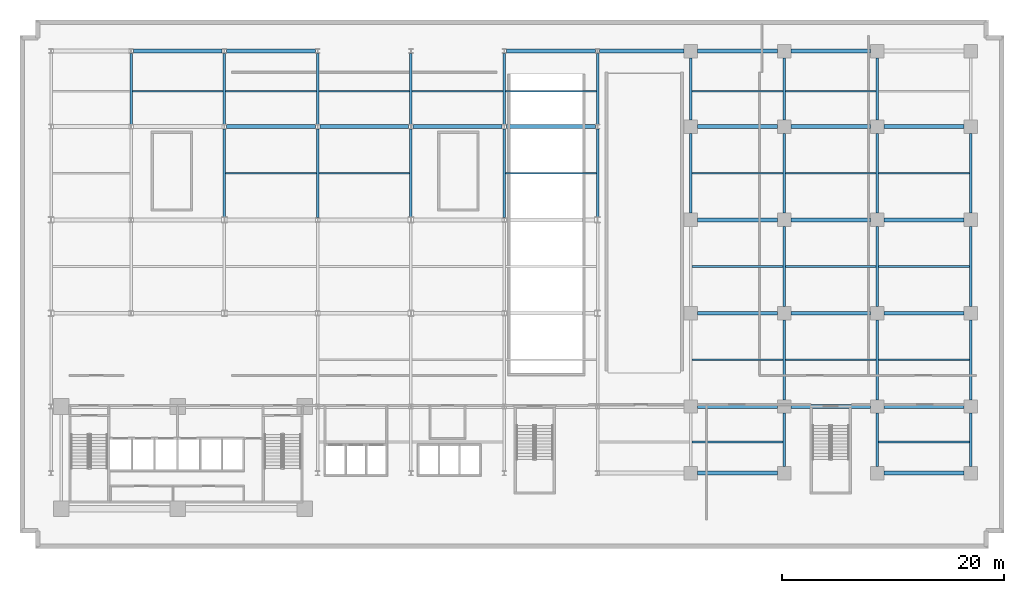
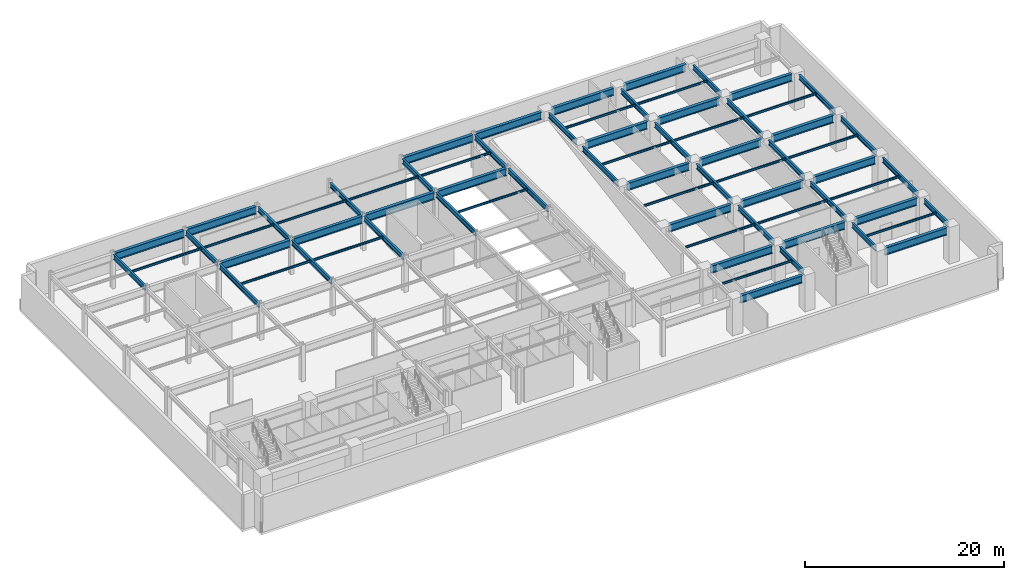
# One storey, part 4 of 14: 72 beams.
"""IFC4 building model written with IfcOpenShell, lengths in metres."""

from ifc_helpers import new_model, si_unit, direction, frame, origin, origin_2d, place, context, subcontext, project, spatial, i_section, extrude, material, material_profile, profile_set, type_object, element, save


model = new_model("IFC4")

# Units and contexts
model_context = context("Model", 3, precision=1e-05, world=origin(), true_north=direction((0.0, 1.0)))
body_context = subcontext(model_context, "Body", "Model", "MODEL_VIEW")
ifc_project = project(units=[si_unit("LENGTHUNIT", "METRE"), si_unit("AREAUNIT", "SQUARE_METRE"), si_unit("VOLUMEUNIT", "CUBIC_METRE"), si_unit("PLANEANGLEUNIT", "RADIAN"), si_unit("MASSUNIT", "GRAM", prefix="KILO")], contexts=[model_context])

# Site, building, storey
site_placement = place(None, origin())
site = spatial("IfcSite", under=ifc_project, at=site_placement, CompositionType="ELEMENT")
building_placement = place(site_placement, origin())
building = spatial("IfcBuilding", under=site, at=building_placement, Name="Varnakote Quay Hospital", CompositionType="ELEMENT")
storey_placement = place(building_placement, frame((0.0, 0.0, -4.5)))
storey = spatial("IfcBuildingStorey", under=building, at=storey_placement, Name="B01", CompositionType="ELEMENT", Elevation=-4.5)

# Beams
ifc_material_1 = material(Name="Structural steel AS/NZS 3679.1 Grade 350 L0 (fy 340 MPa)", Category="steel")
ifc_material_profile_1 = material_profile(ifc_material_1, i_section(OverallWidth=0.22802734375, OverallDepth=0.60205078125, WebThickness=0.010498046875, FlangeThickness=0.014892578125, FilletRadius=0.013916015625, at=origin_2d()), Name="610UB101")
ifc_profile_set_1 = profile_set([ifc_material_profile_1], Name="Structural steel AS/NZS 3679.1 Grade 350 L0 (fy 340 MPa)")
beam_type_1 = type_object("IfcBeamType", Name="BM-STL-610UB101", PredefinedType="BEAM", material=ifc_profile_set_1)
beam_1_placement = place(storey_placement, frame((8.39990234375, 37.409912109375, 3.948974609375), z_axis=(0.0, 1.0, 0.0), x_axis=(-1.0, 0.0, 0.0)))
element("IfcBeam", 1, at=beam_1_placement, inside=storey, type_object=beam_type_1, Name="B01 Primary Tie Beam", PredefinedType="BEAM", context=body_context, shape_type="SweptSolid", body=[
    extrude(i_section(OverallWidth=0.22802734375, OverallDepth=0.60205078125, WebThickness=0.010498046875, FlangeThickness=0.014892578125, FilletRadius=0.013916015625, at=origin_2d()), origin(), (0.0, 0.0, 1.0), 6.380126953125),
])
beam_2_placement = place(storey_placement, frame((16.800048828125, 29.06494140625, 3.948974609375), z_axis=(0.0, 1.0, 0.0), x_axis=(-1.0, 0.0, 0.0)))
element("IfcBeam", 2, at=beam_2_placement, inside=storey, type_object=beam_type_1, Name="B01 Primary Tie Beam", PredefinedType="BEAM", context=body_context, shape_type="SweptSolid", body=[
    extrude(i_section(OverallWidth=0.22802734375, OverallDepth=0.60205078125, WebThickness=0.010498046875, FlangeThickness=0.014892578125, FilletRadius=0.013916015625, at=origin_2d()), origin(), (0.0, 0.0, 1.0), 7.925048828125),
])
beam_3_placement = place(storey_placement, frame((16.800048828125, 37.409912109375, 3.948974609375), z_axis=(0.0, 1.0, 0.0), x_axis=(-1.0, 0.0, 0.0)))
element("IfcBeam", 3, at=beam_3_placement, inside=storey, type_object=beam_type_1, Name="B01 Primary Tie Beam", PredefinedType="BEAM", context=body_context, shape_type="SweptSolid", body=[
    extrude(i_section(OverallWidth=0.22802734375, OverallDepth=0.60205078125, WebThickness=0.010498046875, FlangeThickness=0.014892578125, FilletRadius=0.013916015625, at=origin_2d()), origin(), (0.0, 0.0, 1.0), 6.380126953125),
])
beam_4_placement = place(storey_placement, frame((25.199951171875, 29.010009765625, 3.948974609375), z_axis=(0.0, 1.0, 0.0), x_axis=(-1.0, 0.0, 0.0)))
element("IfcBeam", 4, at=beam_4_placement, inside=storey, type_object=beam_type_1, Name="B01 Primary Tie Beam", PredefinedType="BEAM", context=body_context, shape_type="SweptSolid", body=[
    extrude(i_section(OverallWidth=0.22802734375, OverallDepth=0.60205078125, WebThickness=0.010498046875, FlangeThickness=0.014892578125, FilletRadius=0.013916015625, at=origin_2d()), origin(), (0.0, 0.0, 1.0), 7.97998046875),
])
beam_5_placement = place(storey_placement, frame((25.199951171875, 37.409912109375, 3.948974609375), z_axis=(0.0, 1.0, 0.0), x_axis=(-1.0, 0.0, 0.0)))
element("IfcBeam", 5, at=beam_5_placement, inside=storey, type_object=beam_type_1, Name="B01 Primary Tie Beam", PredefinedType="BEAM", context=body_context, shape_type="SweptSolid", body=[
    extrude(i_section(OverallWidth=0.22802734375, OverallDepth=0.60205078125, WebThickness=0.010498046875, FlangeThickness=0.014892578125, FilletRadius=0.013916015625, at=origin_2d()), origin(), (0.0, 0.0, 1.0), 6.380126953125),
])
beam_6_placement = place(storey_placement, frame((33.60009765625, 29.06494140625, 3.948974609375), z_axis=(0.0, 1.0, 0.0), x_axis=(-1.0, 0.0, 0.0)))
element("IfcBeam", 6, at=beam_6_placement, inside=storey, type_object=beam_type_1, Name="B01 Primary Tie Beam", PredefinedType="BEAM", context=body_context, shape_type="SweptSolid", body=[
    extrude(i_section(OverallWidth=0.22802734375, OverallDepth=0.60205078125, WebThickness=0.010498046875, FlangeThickness=0.014892578125, FilletRadius=0.013916015625, at=origin_2d()), origin(), (0.0, 0.0, 1.0), 7.925048828125),
])
beam_7_placement = place(storey_placement, frame((33.60009765625, 37.409912109375, 3.948974609375), z_axis=(0.0, 1.0, 0.0), x_axis=(-1.0, 0.0, 0.0)))
element("IfcBeam", 7, at=beam_7_placement, inside=storey, type_object=beam_type_1, Name="B01 Primary Tie Beam", PredefinedType="BEAM", context=body_context, shape_type="SweptSolid", body=[
    extrude(i_section(OverallWidth=0.22802734375, OverallDepth=0.60205078125, WebThickness=0.010498046875, FlangeThickness=0.014892578125, FilletRadius=0.013916015625, at=origin_2d()), origin(), (0.0, 0.0, 1.0), 6.380126953125),
])
beam_8_placement = place(storey_placement, frame((42.0, 29.010009765625, 3.948974609375), z_axis=(0.0, 1.0, 0.0), x_axis=(-1.0, 0.0, 0.0)))
element("IfcBeam", 8, at=beam_8_placement, inside=storey, type_object=beam_type_1, Name="B01 Primary Tie Beam", PredefinedType="BEAM", context=body_context, shape_type="SweptSolid", body=[
    extrude(i_section(OverallWidth=0.22802734375, OverallDepth=0.60205078125, WebThickness=0.010498046875, FlangeThickness=0.014892578125, FilletRadius=0.013916015625, at=origin_2d()), origin(), (0.0, 0.0, 1.0), 7.97998046875),
])
beam_9_placement = place(storey_placement, frame((42.0, 37.409912109375, 3.948974609375), z_axis=(0.0, 1.0, 0.0), x_axis=(-1.0, 0.0, 0.0)))
element("IfcBeam", 9, at=beam_9_placement, inside=storey, type_object=beam_type_1, Name="B01 Primary Tie Beam", PredefinedType="BEAM", context=body_context, shape_type="SweptSolid", body=[
    extrude(i_section(OverallWidth=0.22802734375, OverallDepth=0.60205078125, WebThickness=0.010498046875, FlangeThickness=0.014892578125, FilletRadius=0.013916015625, at=origin_2d()), origin(), (0.0, 0.0, 1.0), 6.380126953125),
])
beam_10_placement = place(storey_placement, frame((50.39990234375, 29.06494140625, 3.948974609375), z_axis=(0.0, 1.0, 0.0), x_axis=(-1.0, 0.0, 0.0)))
element("IfcBeam", 10, at=beam_10_placement, inside=storey, type_object=beam_type_1, Name="B01 Primary Tie Beam", PredefinedType="BEAM", context=body_context, shape_type="SweptSolid", body=[
    extrude(i_section(OverallWidth=0.22802734375, OverallDepth=0.60205078125, WebThickness=0.010498046875, FlangeThickness=0.014892578125, FilletRadius=0.013916015625, at=origin_2d()), origin(), (0.0, 0.0, 1.0), 7.925048828125),
])
beam_11_placement = place(storey_placement, frame((50.39990234375, 37.409912109375, 3.948974609375), z_axis=(0.0, 1.0, 0.0), x_axis=(-1.0, 0.0, 0.0)))
element("IfcBeam", 11, at=beam_11_placement, inside=storey, type_object=beam_type_1, Name="B01 Primary Tie Beam", PredefinedType="BEAM", context=body_context, shape_type="SweptSolid", body=[
    extrude(i_section(OverallWidth=0.22802734375, OverallDepth=0.60205078125, WebThickness=0.010498046875, FlangeThickness=0.014892578125, FilletRadius=0.013916015625, at=origin_2d()), origin(), (0.0, 0.0, 1.0), 6.380126953125),
])
beam_12_placement = place(storey_placement, frame((58.800048828125, 29.39990234375, 3.948974609375), z_axis=(0.0, 1.0, 0.0), x_axis=(-1.0, 0.0, 0.0)))
element("IfcBeam", 12, at=beam_12_placement, inside=storey, type_object=beam_type_1, Name="B01 Primary Tie Beam", PredefinedType="BEAM", context=body_context, shape_type="SweptSolid", body=[
    extrude(i_section(OverallWidth=0.22802734375, OverallDepth=0.60205078125, WebThickness=0.010498046875, FlangeThickness=0.014892578125, FilletRadius=0.013916015625, at=origin_2d()), origin(), (0.0, 0.0, 1.0), 7.2001953125),
])
beam_13_placement = place(storey_placement, frame((58.800048828125, 37.800048828125, 3.948974609375), z_axis=(0.0, 1.0, 0.0), x_axis=(-1.0, 0.0, 0.0)))
element("IfcBeam", 13, at=beam_13_placement, inside=storey, type_object=beam_type_1, Name="B01 Primary Tie Beam", PredefinedType="BEAM", context=body_context, shape_type="SweptSolid", body=[
    extrude(i_section(OverallWidth=0.22802734375, OverallDepth=0.60205078125, WebThickness=0.010498046875, FlangeThickness=0.014892578125, FilletRadius=0.013916015625, at=origin_2d()), origin(), (0.0, 0.0, 1.0), 5.599853515625),
])
beam_14_placement = place(storey_placement, frame((67.199951171875, 6.60009765625, 3.948974609375), z_axis=(0.0, 1.0, 0.0), x_axis=(-1.0, 0.0, 0.0)))
element("IfcBeam", 14, at=beam_14_placement, inside=storey, type_object=beam_type_1, Name="B01 Primary Tie Beam", PredefinedType="BEAM", context=body_context, shape_type="SweptSolid", body=[
    extrude(i_section(OverallWidth=0.22802734375, OverallDepth=0.60205078125, WebThickness=0.010498046875, FlangeThickness=0.014892578125, FilletRadius=0.013916015625, at=origin_2d()), origin(), (0.0, 0.0, 1.0), 4.7998046875),
])
for number, where, z_axis, x_axis, name in (
    (15, (67.199951171875, 12.60009765625, 3.948974609375), (0.0, 1.0, 0.0), (-1.0, 0.0, 0.0), "B01 Primary Tie Beam"),
    (16, (67.199951171875, 21.0, 3.948974609375), (0.0, 1.0, 0.0), (-1.0, 0.0, 0.0), "B01 Primary Tie Beam"),
):
    element("IfcBeam", number, at=place(storey_placement, frame(where, z_axis=z_axis, x_axis=x_axis)), inside=storey, type_object=beam_type_1, Name=name, PredefinedType="BEAM", context=body_context, shape_type="SweptSolid", body=[
        extrude(i_section(OverallWidth=0.22802734375, OverallDepth=0.60205078125, WebThickness=0.010498046875, FlangeThickness=0.014892578125, FilletRadius=0.013916015625, at=origin_2d()), origin(), (0.0, 0.0, 1.0), 7.199951171875),
    ])
beam_15_placement = place(storey_placement, frame((67.199951171875, 29.39990234375, 3.948974609375), z_axis=(0.0, 1.0, 0.0), x_axis=(-1.0, 0.0, 0.0)))
element("IfcBeam", 17, at=beam_15_placement, inside=storey, type_object=beam_type_1, Name="B01 Primary Tie Beam", PredefinedType="BEAM", context=body_context, shape_type="SweptSolid", body=[
    extrude(i_section(OverallWidth=0.22802734375, OverallDepth=0.60205078125, WebThickness=0.010498046875, FlangeThickness=0.014892578125, FilletRadius=0.013916015625, at=origin_2d()), origin(), (0.0, 0.0, 1.0), 7.2001953125),
])
beam_16_placement = place(storey_placement, frame((67.199951171875, 37.800048828125, 3.948974609375), z_axis=(0.0, 1.0, 0.0), x_axis=(-1.0, 0.0, 0.0)))
element("IfcBeam", 18, at=beam_16_placement, inside=storey, type_object=beam_type_1, Name="B01 Primary Tie Beam", PredefinedType="BEAM", context=body_context, shape_type="SweptSolid", body=[
    extrude(i_section(OverallWidth=0.22802734375, OverallDepth=0.60205078125, WebThickness=0.010498046875, FlangeThickness=0.014892578125, FilletRadius=0.013916015625, at=origin_2d()), origin(), (0.0, 0.0, 1.0), 5.599853515625),
])
beam_17_placement = place(storey_placement, frame((75.60009765625, 6.60009765625, 3.948974609375), z_axis=(0.0, 1.0, 0.0), x_axis=(-1.0, 0.0, 0.0)))
element("IfcBeam", 19, at=beam_17_placement, inside=storey, type_object=beam_type_1, Name="B01 Primary Tie Beam", PredefinedType="BEAM", context=body_context, shape_type="SweptSolid", body=[
    extrude(i_section(OverallWidth=0.22802734375, OverallDepth=0.60205078125, WebThickness=0.010498046875, FlangeThickness=0.014892578125, FilletRadius=0.013916015625, at=origin_2d()), origin(), (0.0, 0.0, 1.0), 4.7998046875),
])
for number, where, z_axis, x_axis, name in (
    (20, (75.60009765625, 12.60009765625, 3.948974609375), (0.0, 1.0, 0.0), (-1.0, 0.0, 0.0), "B01 Primary Tie Beam"),
    (21, (75.60009765625, 21.0, 3.948974609375), (0.0, 1.0, 0.0), (-1.0, 0.0, 0.0), "B01 Primary Tie Beam"),
):
    element("IfcBeam", number, at=place(storey_placement, frame(where, z_axis=z_axis, x_axis=x_axis)), inside=storey, type_object=beam_type_1, Name=name, PredefinedType="BEAM", context=body_context, shape_type="SweptSolid", body=[
        extrude(i_section(OverallWidth=0.22802734375, OverallDepth=0.60205078125, WebThickness=0.010498046875, FlangeThickness=0.014892578125, FilletRadius=0.013916015625, at=origin_2d()), origin(), (0.0, 0.0, 1.0), 7.199951171875),
    ])
beam_18_placement = place(storey_placement, frame((75.60009765625, 29.39990234375, 3.948974609375), z_axis=(0.0, 1.0, 0.0), x_axis=(-1.0, 0.0, 0.0)))
element("IfcBeam", 22, at=beam_18_placement, inside=storey, type_object=beam_type_1, Name="B01 Primary Tie Beam", PredefinedType="BEAM", context=body_context, shape_type="SweptSolid", body=[
    extrude(i_section(OverallWidth=0.22802734375, OverallDepth=0.60205078125, WebThickness=0.010498046875, FlangeThickness=0.014892578125, FilletRadius=0.013916015625, at=origin_2d()), origin(), (0.0, 0.0, 1.0), 7.2001953125),
])
beam_19_placement = place(storey_placement, frame((75.60009765625, 37.800048828125, 3.948974609375), z_axis=(0.0, 1.0, 0.0), x_axis=(-1.0, 0.0, 0.0)))
element("IfcBeam", 23, at=beam_19_placement, inside=storey, type_object=beam_type_1, Name="B01 Primary Tie Beam", PredefinedType="BEAM", context=body_context, shape_type="SweptSolid", body=[
    extrude(i_section(OverallWidth=0.22802734375, OverallDepth=0.60205078125, WebThickness=0.010498046875, FlangeThickness=0.014892578125, FilletRadius=0.013916015625, at=origin_2d()), origin(), (0.0, 0.0, 1.0), 5.599853515625),
])
beam_20_placement = place(storey_placement, frame((84.0, 6.60009765625, 3.948974609375), z_axis=(0.0, 1.0, 0.0), x_axis=(-1.0, 0.0, 0.0)))
element("IfcBeam", 24, at=beam_20_placement, inside=storey, type_object=beam_type_1, Name="B01 Primary Tie Beam", PredefinedType="BEAM", context=body_context, shape_type="SweptSolid", body=[
    extrude(i_section(OverallWidth=0.22802734375, OverallDepth=0.60205078125, WebThickness=0.010498046875, FlangeThickness=0.014892578125, FilletRadius=0.013916015625, at=origin_2d()), origin(), (0.0, 0.0, 1.0), 4.7998046875),
])
for number, where, z_axis, x_axis, name in (
    (25, (84.0, 12.60009765625, 3.948974609375), (0.0, 1.0, 0.0), (-1.0, 0.0, 0.0), "B01 Primary Tie Beam"),
    (26, (84.0, 21.0, 3.948974609375), (0.0, 1.0, 0.0), (-1.0, 0.0, 0.0), "B01 Primary Tie Beam"),
):
    element("IfcBeam", number, at=place(storey_placement, frame(where, z_axis=z_axis, x_axis=x_axis)), inside=storey, type_object=beam_type_1, Name=name, PredefinedType="BEAM", context=body_context, shape_type="SweptSolid", body=[
        extrude(i_section(OverallWidth=0.22802734375, OverallDepth=0.60205078125, WebThickness=0.010498046875, FlangeThickness=0.014892578125, FilletRadius=0.013916015625, at=origin_2d()), origin(), (0.0, 0.0, 1.0), 7.199951171875),
    ])
beam_21_placement = place(storey_placement, frame((84.0, 29.39990234375, 3.948974609375), z_axis=(0.0, 1.0, 0.0), x_axis=(-1.0, 0.0, 0.0)))
element("IfcBeam", 27, at=beam_21_placement, inside=storey, type_object=beam_type_1, Name="B01 Primary Tie Beam", PredefinedType="BEAM", context=body_context, shape_type="SweptSolid", body=[
    extrude(i_section(OverallWidth=0.22802734375, OverallDepth=0.60205078125, WebThickness=0.010498046875, FlangeThickness=0.014892578125, FilletRadius=0.013916015625, at=origin_2d()), origin(), (0.0, 0.0, 1.0), 7.2001953125),
])
ifc_material_2 = material(Name="Structural steel AS/NZS 3678 Grade 350 (fy 340 MPa)", Category="steel")
ifc_material_profile_2 = material_profile(ifc_material_2, i_section(OverallWidth=0.35009765625, OverallDepth=0.909912109375, WebThickness=0.011962890625, FlangeThickness=0.02490234375, at=origin_2d()), Name="900WB218")
ifc_profile_set_2 = profile_set([ifc_material_profile_2], Name="Structural steel AS/NZS 3678 Grade 350 (fy 340 MPa)")
beam_type_2 = type_object("IfcBeamType", Name="BM-STL-900WB218", PredefinedType="BEAM", material=ifc_profile_set_2)
beam_22_placement = place(storey_placement, frame((59.39990234375, 6.0, 3.794921875), z_axis=(1.0, 0.0, 0.0), x_axis=(0.0, 1.0, 0.0)))
element("IfcBeam", 28, at=beam_22_placement, inside=storey, type_object=beam_type_2, Name="B01 Primary Floor Beam", PredefinedType="BEAM", context=body_context, shape_type="SweptSolid", body=[
    extrude(i_section(OverallWidth=0.35009765625, OverallDepth=0.909912109375, WebThickness=0.011962890625, FlangeThickness=0.02490234375, at=origin_2d()), origin(), (0.0, 0.0, 1.0), 7.2001953125),
])
beam_23_placement = place(storey_placement, frame((76.199951171875, 6.0, 3.794921875), z_axis=(1.0, 0.0, 0.0), x_axis=(0.0, 1.0, 0.0)))
element("IfcBeam", 29, at=beam_23_placement, inside=storey, type_object=beam_type_2, Name="B01 Primary Floor Beam", PredefinedType="BEAM", context=body_context, shape_type="SweptSolid", body=[
    extrude(i_section(OverallWidth=0.35009765625, OverallDepth=0.909912109375, WebThickness=0.011962890625, FlangeThickness=0.02490234375, at=origin_2d()), origin(), (0.0, 0.0, 1.0), 7.199951171875),
])
beam_24_placement = place(storey_placement, frame((59.39990234375, 12.0, 3.794921875), z_axis=(1.0, 0.0, 0.0), x_axis=(0.0, 1.0, 0.0)))
element("IfcBeam", 30, at=beam_24_placement, inside=storey, type_object=beam_type_2, Name="B01 Primary Floor Beam", PredefinedType="BEAM", context=body_context, shape_type="SweptSolid", body=[
    extrude(i_section(OverallWidth=0.35009765625, OverallDepth=0.909912109375, WebThickness=0.011962890625, FlangeThickness=0.02490234375, at=origin_2d()), origin(), (0.0, 0.0, 1.0), 7.2001953125),
])
for number, where, z_axis, x_axis, name in (
    (31, (67.800048828125, 12.0, 3.794921875), (1.0, 0.0, 0.0), (0.0, 1.0, 0.0), "B01 Primary Floor Beam"),
    (32, (76.199951171875, 12.0, 3.794921875), (1.0, 0.0, 0.0), (0.0, 1.0, 0.0), "B01 Primary Floor Beam"),
):
    element("IfcBeam", number, at=place(storey_placement, frame(where, z_axis=z_axis, x_axis=x_axis)), inside=storey, type_object=beam_type_2, Name=name, PredefinedType="BEAM", context=body_context, shape_type="SweptSolid", body=[
        extrude(i_section(OverallWidth=0.35009765625, OverallDepth=0.909912109375, WebThickness=0.011962890625, FlangeThickness=0.02490234375, at=origin_2d()), origin(), (0.0, 0.0, 1.0), 7.199951171875),
    ])
beam_25_placement = place(storey_placement, frame((59.39990234375, 20.39990234375, 3.794921875), z_axis=(1.0, 0.0, 0.0), x_axis=(0.0, 1.0, 0.0)))
element("IfcBeam", 33, at=beam_25_placement, inside=storey, type_object=beam_type_2, Name="B01 Primary Floor Beam", PredefinedType="BEAM", context=body_context, shape_type="SweptSolid", body=[
    extrude(i_section(OverallWidth=0.35009765625, OverallDepth=0.909912109375, WebThickness=0.011962890625, FlangeThickness=0.02490234375, at=origin_2d()), origin(), (0.0, 0.0, 1.0), 7.2001953125),
])
for number, where, z_axis, x_axis, name in (
    (34, (67.800048828125, 20.39990234375, 3.794921875), (1.0, 0.0, 0.0), (0.0, 1.0, 0.0), "B01 Primary Floor Beam"),
    (35, (76.199951171875, 20.39990234375, 3.794921875), (1.0, 0.0, 0.0), (0.0, 1.0, 0.0), "B01 Primary Floor Beam"),
):
    element("IfcBeam", number, at=place(storey_placement, frame(where, z_axis=z_axis, x_axis=x_axis)), inside=storey, type_object=beam_type_2, Name=name, PredefinedType="BEAM", context=body_context, shape_type="SweptSolid", body=[
        extrude(i_section(OverallWidth=0.35009765625, OverallDepth=0.909912109375, WebThickness=0.011962890625, FlangeThickness=0.02490234375, at=origin_2d()), origin(), (0.0, 0.0, 1.0), 7.199951171875),
    ])
beam_26_placement = place(storey_placement, frame((59.39990234375, 28.800048828125, 3.794921875), z_axis=(1.0, 0.0, 0.0), x_axis=(0.0, 1.0, 0.0)))
element("IfcBeam", 36, at=beam_26_placement, inside=storey, type_object=beam_type_2, Name="B01 Primary Floor Beam", PredefinedType="BEAM", context=body_context, shape_type="SweptSolid", body=[
    extrude(i_section(OverallWidth=0.35009765625, OverallDepth=0.909912109375, WebThickness=0.011962890625, FlangeThickness=0.02490234375, at=origin_2d()), origin(), (0.0, 0.0, 1.0), 7.2001953125),
])
for number, where, z_axis, x_axis, name in (
    (37, (67.800048828125, 28.800048828125, 3.794921875), (1.0, 0.0, 0.0), (0.0, 1.0, 0.0), "B01 Primary Floor Beam"),
    (38, (76.199951171875, 28.800048828125, 3.794921875), (1.0, 0.0, 0.0), (0.0, 1.0, 0.0), "B01 Primary Floor Beam"),
):
    element("IfcBeam", number, at=place(storey_placement, frame(where, z_axis=z_axis, x_axis=x_axis)), inside=storey, type_object=beam_type_2, Name=name, PredefinedType="BEAM", context=body_context, shape_type="SweptSolid", body=[
        extrude(i_section(OverallWidth=0.35009765625, OverallDepth=0.909912109375, WebThickness=0.011962890625, FlangeThickness=0.02490234375, at=origin_2d()), origin(), (0.0, 0.0, 1.0), 7.199951171875),
    ])
for number, where, z_axis, x_axis, name in (
    (39, (17.0, 37.199951171875, 3.794921875), (1.0, 0.0, 0.0), (0.0, 1.0, 0.0), "B01 Primary Floor Beam"),
    (40, (25.39990234375, 37.199951171875, 3.794921875), (1.0, 0.0, 0.0), (0.0, 1.0, 0.0), "B01 Primary Floor Beam"),
    (41, (33.800048828125, 37.199951171875, 3.794921875), (1.0, 0.0, 0.0), (0.0, 1.0, 0.0), "B01 Primary Floor Beam"),
    (42, (42.199951171875, 37.199951171875, 3.794921875), (1.0, 0.0, 0.0), (0.0, 1.0, 0.0), "B01 Primary Floor Beam"),
):
    element("IfcBeam", number, at=place(storey_placement, frame(where, z_axis=z_axis, x_axis=x_axis)), inside=storey, type_object=beam_type_2, Name=name, PredefinedType="BEAM", context=body_context, shape_type="SweptSolid", body=[
        extrude(i_section(OverallWidth=0.35009765625, OverallDepth=0.909912109375, WebThickness=0.011962890625, FlangeThickness=0.02490234375, at=origin_2d()), origin(), (0.0, 0.0, 1.0), 8.0),
    ])
beam_27_placement = place(storey_placement, frame((59.39990234375, 37.199951171875, 3.794921875), z_axis=(1.0, 0.0, 0.0), x_axis=(0.0, 1.0, 0.0)))
element("IfcBeam", 43, at=beam_27_placement, inside=storey, type_object=beam_type_2, Name="B01 Primary Floor Beam", PredefinedType="BEAM", context=body_context, shape_type="SweptSolid", body=[
    extrude(i_section(OverallWidth=0.35009765625, OverallDepth=0.909912109375, WebThickness=0.011962890625, FlangeThickness=0.02490234375, at=origin_2d()), origin(), (0.0, 0.0, 1.0), 7.2001953125),
])
for number, where, z_axis, x_axis, name in (
    (44, (67.800048828125, 37.199951171875, 3.794921875), (1.0, 0.0, 0.0), (0.0, 1.0, 0.0), "B01 Primary Floor Beam"),
    (45, (76.199951171875, 37.199951171875, 3.794921875), (1.0, 0.0, 0.0), (0.0, 1.0, 0.0), "B01 Primary Floor Beam"),
):
    element("IfcBeam", number, at=place(storey_placement, frame(where, z_axis=z_axis, x_axis=x_axis)), inside=storey, type_object=beam_type_2, Name=name, PredefinedType="BEAM", context=body_context, shape_type="SweptSolid", body=[
        extrude(i_section(OverallWidth=0.35009765625, OverallDepth=0.909912109375, WebThickness=0.011962890625, FlangeThickness=0.02490234375, at=origin_2d()), origin(), (0.0, 0.0, 1.0), 7.199951171875),
    ])
for number, where, z_axis, x_axis, name in (
    (46, (8.60009765625, 44.0, 3.794921875), (1.0, 0.0, 0.0), (0.0, 1.0, 0.0), "B01 Primary Floor Beam"),
    (47, (17.0, 44.0, 3.794921875), (1.0, 0.0, 0.0), (0.0, 1.0, 0.0), "B01 Primary Floor Beam"),
    (48, (42.199951171875, 44.0, 3.794921875), (1.0, 0.0, 0.0), (0.0, 1.0, 0.0), "B01 Primary Floor Beam"),
):
    element("IfcBeam", number, at=place(storey_placement, frame(where, z_axis=z_axis, x_axis=x_axis)), inside=storey, type_object=beam_type_2, Name=name, PredefinedType="BEAM", context=body_context, shape_type="SweptSolid", body=[
        extrude(i_section(OverallWidth=0.35009765625, OverallDepth=0.909912109375, WebThickness=0.011962890625, FlangeThickness=0.02490234375, at=origin_2d()), origin(), (0.0, 0.0, 1.0), 8.0),
    ])
beam_28_placement = place(storey_placement, frame((50.60009765625, 44.0, 3.794921875), z_axis=(1.0, 0.0, 0.0), x_axis=(0.0, 1.0, 0.0)))
element("IfcBeam", 49, at=beam_28_placement, inside=storey, type_object=beam_type_2, Name="B01 Primary Floor Beam", PredefinedType="BEAM", context=body_context, shape_type="SweptSolid", body=[
    extrude(i_section(OverallWidth=0.35009765625, OverallDepth=0.909912109375, WebThickness=0.011962890625, FlangeThickness=0.02490234375, at=origin_2d()), origin(), (0.0, 0.0, 1.0), 7.599853515625),
])
beam_29_placement = place(storey_placement, frame((59.39990234375, 44.0, 3.794921875), z_axis=(1.0, 0.0, 0.0), x_axis=(0.0, 1.0, 0.0)))
element("IfcBeam", 50, at=beam_29_placement, inside=storey, type_object=beam_type_2, Name="B01 Primary Floor Beam", PredefinedType="BEAM", context=body_context, shape_type="SweptSolid", body=[
    extrude(i_section(OverallWidth=0.35009765625, OverallDepth=0.909912109375, WebThickness=0.011962890625, FlangeThickness=0.02490234375, at=origin_2d()), origin(), (0.0, 0.0, 1.0), 7.2001953125),
])
beam_30_placement = place(storey_placement, frame((67.800048828125, 44.0, 3.794921875), z_axis=(1.0, 0.0, 0.0), x_axis=(0.0, 1.0, 0.0)))
element("IfcBeam", 51, at=beam_30_placement, inside=storey, type_object=beam_type_2, Name="B01 Primary Floor Beam", PredefinedType="BEAM", context=body_context, shape_type="SweptSolid", body=[
    extrude(i_section(OverallWidth=0.35009765625, OverallDepth=0.909912109375, WebThickness=0.011962890625, FlangeThickness=0.02490234375, at=origin_2d()), origin(), (0.0, 0.0, 1.0), 7.199951171875),
])
ifc_material_3 = material(Name="Structural steel AS/NZS 3679.1 Grade 350 L0 (fy 340 MPa)", Category="steel")
ifc_material_profile_3 = material_profile(ifc_material_3, i_section(OverallWidth=0.14599609375, OverallDepth=0.256103515625, WebThickness=0.00634765625, FlangeThickness=0.010986328125, FilletRadius=0.0087890625, at=origin_2d()), Name="250UB37.3")
ifc_profile_set_3 = profile_set([ifc_material_profile_3], Name="Structural steel AS/NZS 3679.1 Grade 350 L0 (fy 340 MPa)")
beam_type_3 = type_object("IfcBeamType", Name="JST-STL-250UB37-3", PredefinedType="JOIST", material=ifc_profile_set_3)
for number, where, z_axis, x_axis, name in (
    (52, (58.9140625, 8.800048828125, 4.1220703125), (1.0, 0.0, 0.0), (0.0, 1.0, 0.0), "B01 Composite Floor Joist"),
    (53, (75.714111328125, 8.800048828125, 4.1220703125), (1.0, 0.0, 0.0), (0.0, 1.0, 0.0), "B01 Composite Floor Joist"),
    (54, (58.9140625, 16.199951171875, 4.1220703125), (1.0, 0.0, 0.0), (0.0, 1.0, 0.0), "B01 Composite Floor Joist"),
):
    element("IfcBeam", number, at=place(storey_placement, frame(where, z_axis=z_axis, x_axis=x_axis)), inside=storey, type_object=beam_type_3, Name=name, PredefinedType="JOIST", context=body_context, shape_type="SweptSolid", body=[
        extrude(i_section(OverallWidth=0.14599609375, OverallDepth=0.256103515625, WebThickness=0.00634765625, FlangeThickness=0.010986328125, FilletRadius=0.0087890625, at=origin_2d()), origin(), (0.0, 0.0, 1.0), 8.171875),
    ])
beam_31_placement = place(storey_placement, frame((67.31396484375, 16.199951171875, 4.1220703125), z_axis=(1.0, 0.0, 0.0), x_axis=(0.0, 1.0, 0.0)))
element("IfcBeam", 55, at=beam_31_placement, inside=storey, type_object=beam_type_3, Name="B01 Composite Floor Joist", PredefinedType="JOIST", context=body_context, shape_type="SweptSolid", body=[
    extrude(i_section(OverallWidth=0.14599609375, OverallDepth=0.256103515625, WebThickness=0.00634765625, FlangeThickness=0.010986328125, FilletRadius=0.0087890625, at=origin_2d()), origin(), (0.0, 0.0, 1.0), 8.172119140625),
])
for number, where, z_axis, x_axis, name in (
    (56, (75.714111328125, 16.199951171875, 4.1220703125), (1.0, 0.0, 0.0), (0.0, 1.0, 0.0), "B01 Composite Floor Joist"),
    (57, (58.9140625, 24.60009765625, 4.1220703125), (1.0, 0.0, 0.0), (0.0, 1.0, 0.0), "B01 Composite Floor Joist"),
):
    element("IfcBeam", number, at=place(storey_placement, frame(where, z_axis=z_axis, x_axis=x_axis)), inside=storey, type_object=beam_type_3, Name=name, PredefinedType="JOIST", context=body_context, shape_type="SweptSolid", body=[
        extrude(i_section(OverallWidth=0.14599609375, OverallDepth=0.256103515625, WebThickness=0.00634765625, FlangeThickness=0.010986328125, FilletRadius=0.0087890625, at=origin_2d()), origin(), (0.0, 0.0, 1.0), 8.171875),
    ])
beam_32_placement = place(storey_placement, frame((67.31396484375, 24.60009765625, 4.1220703125), z_axis=(1.0, 0.0, 0.0), x_axis=(0.0, 1.0, 0.0)))
element("IfcBeam", 58, at=beam_32_placement, inside=storey, type_object=beam_type_3, Name="B01 Composite Floor Joist", PredefinedType="JOIST", context=body_context, shape_type="SweptSolid", body=[
    extrude(i_section(OverallWidth=0.14599609375, OverallDepth=0.256103515625, WebThickness=0.00634765625, FlangeThickness=0.010986328125, FilletRadius=0.0087890625, at=origin_2d()), origin(), (0.0, 0.0, 1.0), 8.172119140625),
])
for number, where, z_axis, x_axis, name in (
    (59, (75.714111328125, 24.60009765625, 4.1220703125), (1.0, 0.0, 0.0), (0.0, 1.0, 0.0), "B01 Composite Floor Joist"),
    (60, (16.9140625, 33.0, 4.1220703125), (1.0, 0.0, 0.0), (0.0, 1.0, 0.0), "B01 Composite Floor Joist"),
):
    element("IfcBeam", number, at=place(storey_placement, frame(where, z_axis=z_axis, x_axis=x_axis)), inside=storey, type_object=beam_type_3, Name=name, PredefinedType="JOIST", context=body_context, shape_type="SweptSolid", body=[
        extrude(i_section(OverallWidth=0.14599609375, OverallDepth=0.256103515625, WebThickness=0.00634765625, FlangeThickness=0.010986328125, FilletRadius=0.0087890625, at=origin_2d()), origin(), (0.0, 0.0, 1.0), 8.171875),
    ])
beam_33_placement = place(storey_placement, frame((25.31396484375, 33.0, 4.1220703125), z_axis=(1.0, 0.0, 0.0), x_axis=(0.0, 1.0, 0.0)))
element("IfcBeam", 61, at=beam_33_placement, inside=storey, type_object=beam_type_3, Name="B01 Composite Floor Joist", PredefinedType="JOIST", context=body_context, shape_type="SweptSolid", body=[
    extrude(i_section(OverallWidth=0.14599609375, OverallDepth=0.256103515625, WebThickness=0.00634765625, FlangeThickness=0.010986328125, FilletRadius=0.0087890625, at=origin_2d()), origin(), (0.0, 0.0, 1.0), 8.172119140625),
])
for number, where, z_axis, x_axis, name in (
    (62, (42.114013671875, 33.0, 4.1220703125), (1.0, 0.0, 0.0), (0.0, 1.0, 0.0), "B01 Composite Floor Joist"),
    (63, (58.9140625, 33.0, 4.1220703125), (1.0, 0.0, 0.0), (0.0, 1.0, 0.0), "B01 Composite Floor Joist"),
):
    element("IfcBeam", number, at=place(storey_placement, frame(where, z_axis=z_axis, x_axis=x_axis)), inside=storey, type_object=beam_type_3, Name=name, PredefinedType="JOIST", context=body_context, shape_type="SweptSolid", body=[
        extrude(i_section(OverallWidth=0.14599609375, OverallDepth=0.256103515625, WebThickness=0.00634765625, FlangeThickness=0.010986328125, FilletRadius=0.0087890625, at=origin_2d()), origin(), (0.0, 0.0, 1.0), 8.171875),
    ])
beam_34_placement = place(storey_placement, frame((67.31396484375, 33.0, 4.1220703125), z_axis=(1.0, 0.0, 0.0), x_axis=(0.0, 1.0, 0.0)))
element("IfcBeam", 64, at=beam_34_placement, inside=storey, type_object=beam_type_3, Name="B01 Composite Floor Joist", PredefinedType="JOIST", context=body_context, shape_type="SweptSolid", body=[
    extrude(i_section(OverallWidth=0.14599609375, OverallDepth=0.256103515625, WebThickness=0.00634765625, FlangeThickness=0.010986328125, FilletRadius=0.0087890625, at=origin_2d()), origin(), (0.0, 0.0, 1.0), 8.172119140625),
])
beam_35_placement = place(storey_placement, frame((75.714111328125, 33.0, 4.1220703125), z_axis=(1.0, 0.0, 0.0), x_axis=(0.0, 1.0, 0.0)))
element("IfcBeam", 65, at=beam_35_placement, inside=storey, type_object=beam_type_3, Name="B01 Composite Floor Joist", PredefinedType="JOIST", context=body_context, shape_type="SweptSolid", body=[
    extrude(i_section(OverallWidth=0.14599609375, OverallDepth=0.256103515625, WebThickness=0.00634765625, FlangeThickness=0.010986328125, FilletRadius=0.0087890625, at=origin_2d()), origin(), (0.0, 0.0, 1.0), 8.171875),
])
beam_36_placement = place(storey_placement, frame((8.513916015625, 40.39990234375, 4.1220703125), z_axis=(1.0, 0.0, 0.0), x_axis=(0.0, 1.0, 0.0)))
element("IfcBeam", 66, at=beam_36_placement, inside=storey, type_object=beam_type_3, Name="B01 Composite Floor Joist", PredefinedType="JOIST", context=body_context, shape_type="SweptSolid", body=[
    extrude(i_section(OverallWidth=0.14599609375, OverallDepth=0.256103515625, WebThickness=0.00634765625, FlangeThickness=0.010986328125, FilletRadius=0.0087890625, at=origin_2d()), origin(), (0.0, 0.0, 1.0), 8.172119140625),
])
beam_37_placement = place(storey_placement, frame((16.9140625, 40.39990234375, 4.1220703125), z_axis=(1.0, 0.0, 0.0), x_axis=(0.0, 1.0, 0.0)))
element("IfcBeam", 67, at=beam_37_placement, inside=storey, type_object=beam_type_3, Name="B01 Composite Floor Joist", PredefinedType="JOIST", context=body_context, shape_type="SweptSolid", body=[
    extrude(i_section(OverallWidth=0.14599609375, OverallDepth=0.256103515625, WebThickness=0.00634765625, FlangeThickness=0.010986328125, FilletRadius=0.0087890625, at=origin_2d()), origin(), (0.0, 0.0, 1.0), 8.171875),
])
beam_38_placement = place(storey_placement, frame((25.31396484375, 40.39990234375, 4.1220703125), z_axis=(1.0, 0.0, 0.0), x_axis=(0.0, 1.0, 0.0)))
element("IfcBeam", 68, at=beam_38_placement, inside=storey, type_object=beam_type_3, Name="B01 Composite Floor Joist", PredefinedType="JOIST", context=body_context, shape_type="SweptSolid", body=[
    extrude(i_section(OverallWidth=0.14599609375, OverallDepth=0.256103515625, WebThickness=0.00634765625, FlangeThickness=0.010986328125, FilletRadius=0.0087890625, at=origin_2d()), origin(), (0.0, 0.0, 1.0), 8.172119140625),
])
for number, where, z_axis, x_axis, name in (
    (69, (33.714111328125, 40.39990234375, 4.1220703125), (1.0, 0.0, 0.0), (0.0, 1.0, 0.0), "B01 Composite Floor Joist"),
    (70, (42.114013671875, 40.39990234375, 4.1220703125), (1.0, 0.0, 0.0), (0.0, 1.0, 0.0), "B01 Composite Floor Joist"),
    (71, (58.9140625, 40.39990234375, 4.1220703125), (1.0, 0.0, 0.0), (0.0, 1.0, 0.0), "B01 Composite Floor Joist"),
):
    element("IfcBeam", number, at=place(storey_placement, frame(where, z_axis=z_axis, x_axis=x_axis)), inside=storey, type_object=beam_type_3, Name=name, PredefinedType="JOIST", context=body_context, shape_type="SweptSolid", body=[
        extrude(i_section(OverallWidth=0.14599609375, OverallDepth=0.256103515625, WebThickness=0.00634765625, FlangeThickness=0.010986328125, FilletRadius=0.0087890625, at=origin_2d()), origin(), (0.0, 0.0, 1.0), 8.171875),
    ])
beam_39_placement = place(storey_placement, frame((67.31396484375, 40.39990234375, 4.1220703125), z_axis=(1.0, 0.0, 0.0), x_axis=(0.0, 1.0, 0.0)))
element("IfcBeam", 72, at=beam_39_placement, inside=storey, type_object=beam_type_3, Name="B01 Composite Floor Joist", PredefinedType="JOIST", context=body_context, shape_type="SweptSolid", body=[
    extrude(i_section(OverallWidth=0.14599609375, OverallDepth=0.256103515625, WebThickness=0.00634765625, FlangeThickness=0.010986328125, FilletRadius=0.0087890625, at=origin_2d()), origin(), (0.0, 0.0, 1.0), 8.172119140625),
])

save(model, "model.ifc")
